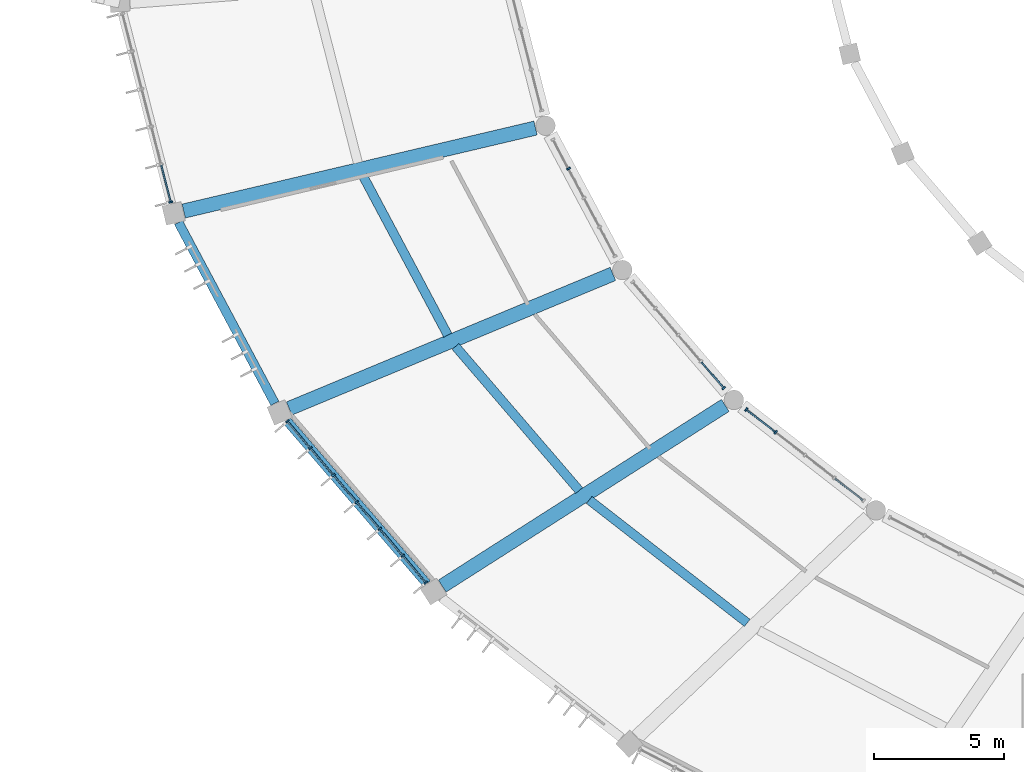
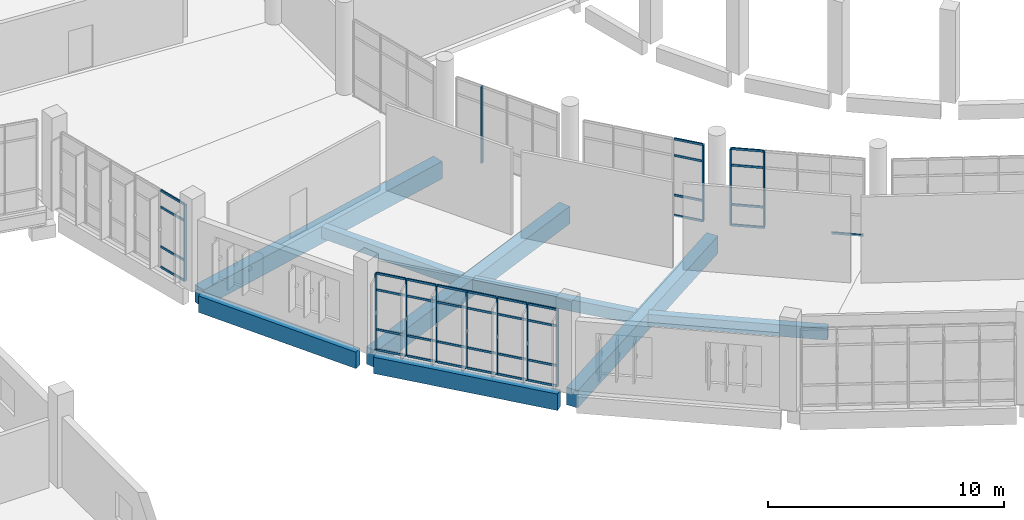
# One storey, part 10 of 179: 49 members, 8 beams, 5 elements without a shape of their own.
"""IFC4 building model written with IfcOpenShell, lengths in metres."""

import ifcopenshell
import ifcopenshell.guid

model = None  # the IFC model being written
_history = None  # IfcOwnerHistory: only IFC2X3 demands one
_inside = {}  # id of a spatial element -> (the spatial element, [elements in it])
_under = {}  # id of a project, library or spatial element -> (it, [spatial elements below it])
_declared = {}  # id of a project -> (the project, [libraries it declares])
_typed = {}  # id of a type object -> (the type object, [elements of that type])
_made_of = {}  # id of a material, layer set ... -> (it, [elements and type objects made of it])


def new_model(schema):
    """Start an empty IFC model of exactly this schema.

    Asked for "IFC4X3", IfcOpenShell would pick the latest addendum, in which some entities
    have other attributes; the version numbers below select the first issue.
    IFC2X3 requires an IfcOwnerHistory on every rooted entity: one is made here for all.
    """
    global model, _history
    if schema == "IFC4X3":
        model = ifcopenshell.file(schema_version=(4, 3, 0, 0))
    else:
        model = ifcopenshell.file(schema=schema)
    _inside.clear()
    _under.clear()
    _declared.clear()
    _typed.clear()
    _made_of.clear()
    _history = None
    if model.schema == "IFC2X3":
        org = make("IfcOrganization", Name="unknown")
        user = make(
            "IfcPersonAndOrganization",
            ThePerson=make("IfcPerson", FamilyName="unknown"),
            TheOrganization=org,
        )
        app = make(
            "IfcApplication",
            ApplicationDeveloper=org,
            Version="unknown",
            ApplicationFullName="unknown",
            ApplicationIdentifier="unknown",
        )
        _history = make(
            "IfcOwnerHistory",
            OwningUser=user,
            OwningApplication=app,
            ChangeAction="ADDED",
            CreationDate=0,
        )
    return model


def make(cls, **values):
    """One entity of the class cls with the attributes given. An attribute that is None is left unset."""
    return model.create_entity(
        cls, **{name: value for name, value in values.items() if value is not None}
    )


def rooted(cls, **values):
    """An entity with a GlobalId (a new one), such as an element, a storey or a relation."""
    return make(cls, GlobalId=ifcopenshell.guid.new(), OwnerHistory=_history, **values)


def si_unit(unit_type, name, prefix=None):
    """IfcSIUnit, for example si_unit("LENGTHUNIT", "METRE", prefix="MILLI")."""
    return make("IfcSIUnit", UnitType=unit_type, Prefix=prefix, Name=name)


def assignment(units):
    """IfcUnitAssignment: the units of a project."""
    return None if units is None else make("IfcUnitAssignment", Units=units)


def point(xyz):
    """IfcCartesianPoint."""
    return None if xyz is None else make("IfcCartesianPoint", Coordinates=xyz)


def direction(xyz):
    """IfcDirection."""
    return None if xyz is None else make("IfcDirection", DirectionRatios=xyz)


def frame(location, z_axis=None, x_axis=None):
    """IfcAxis2Placement3D, a coordinate frame: its origin and axes. An axis left out is left unset."""
    return make(
        "IfcAxis2Placement3D",
        Location=point(location),
        Axis=direction(z_axis),
        RefDirection=direction(x_axis),
    )


def frame_2d(location, x_axis=None):
    """IfcAxis2Placement2D, a coordinate frame in the plane: its origin and x axis."""
    return make(
        "IfcAxis2Placement2D", Location=point(location), RefDirection=direction(x_axis)
    )


def origin():
    """The frame at (0, 0, 0) with its axes left unset."""
    return frame((0.0, 0.0, 0.0))


def origin_2d():
    """The frame at (0, 0) in the plane with its x axis left unset."""
    return frame_2d((0.0, 0.0))


def place(relative_to, where):
    """IfcLocalPlacement: puts the frame where relative to a parent placement (None: the world)."""
    return make(
        "IfcLocalPlacement", PlacementRelTo=relative_to, RelativePlacement=where
    )


def context(
    kind, dimensions, precision=None, world=None, true_north=None, identifier=None
):
    """IfcGeometricRepresentationContext, for example the 3D "Model" context."""
    return make(
        "IfcGeometricRepresentationContext",
        ContextIdentifier=identifier,
        ContextType=kind,
        CoordinateSpaceDimension=dimensions,
        Precision=precision,
        WorldCoordinateSystem=world,
        TrueNorth=true_north,
    )


def subcontext(parent, identifier, kind, view, scale=None):
    """IfcGeometricRepresentationSubContext, for example "Body" below "Model"."""
    return make(
        "IfcGeometricRepresentationSubContext",
        ContextIdentifier=identifier,
        ContextType=kind,
        ParentContext=parent,
        TargetScale=scale,
        TargetView=view,
    )


def project(units=None, contexts=None):
    """IfcProject with its units and contexts."""
    return rooted(
        "IfcProject",
        Name="project",
        RepresentationContexts=contexts,
        UnitsInContext=assignment(units),
    )


def spatial(cls, under=None, at=None, **own):
    """A site, building, storey or space (cls), placed at a placement, below another one or the project."""
    s = rooted(cls, ObjectPlacement=at, **own)
    if under is not None:
        _under.setdefault(under.id(), (under, []))[1].append(s)
    return s


def profile(cls, at=None, kind="AREA", **sizes):
    """A parametric profile (cls). Its sizes go by their IFC names, for example OverallWidth=200.0."""
    return make(cls, ProfileType=kind, Position=at, **sizes)


def rectangle(**sizes):
    """IfcRectangleProfileDef."""
    return profile("IfcRectangleProfileDef", **sizes)


def extrude(swept, where, along, depth):
    """IfcExtrudedAreaSolid: the profile swept, set in the frame where, extruded along a direction by depth."""
    return make(
        "IfcExtrudedAreaSolid",
        SweptArea=swept,
        Position=where,
        ExtrudedDirection=direction(along),
        Depth=depth,
    )


def shape(context_of_items, identifier, shape_type, items):
    """IfcShapeRepresentation: the items that make up one representation, for example the "Body"."""
    return make(
        "IfcShapeRepresentation",
        ContextOfItems=context_of_items,
        RepresentationIdentifier=identifier,
        RepresentationType=shape_type,
        Items=items,
    )


def material(Name=None, Category=None):
    """IfcMaterial."""
    return make("IfcMaterial", Name=Name, Category=Category)


def layer(
    of_material, thickness, ventilated=None, Name=None, Category=None, Priority=None
):
    """IfcMaterialLayer: one layer of a wall or slab, of a material (None: an air gap)."""
    return make(
        "IfcMaterialLayer",
        Material=of_material,
        LayerThickness=thickness,
        IsVentilated=ventilated,
        Name=Name,
        Category=Category,
        Priority=Priority,
    )


def layer_set(layers, Name=None):
    """IfcMaterialLayerSet."""
    return make("IfcMaterialLayerSet", MaterialLayers=layers, LayerSetName=Name)


def material_profile(
    of_material, cross_section, Name=None, Category=None, Priority=None
):
    """IfcMaterialProfile: a cross section and its material."""
    return make(
        "IfcMaterialProfile",
        Name=Name,
        Material=of_material,
        Profile=cross_section,
        Priority=Priority,
        Category=Category,
    )


def profile_set(profiles, Name=None, composite=None):
    """IfcMaterialProfileSet."""
    return make(
        "IfcMaterialProfileSet",
        Name=Name,
        MaterialProfiles=profiles,
        CompositeProfile=composite,
    )


def made_of(thing, what):
    """Note that an element or type object is made of a material, layer set ...; save() writes the relation."""
    if what is not None:
        _made_of.setdefault(what.id(), (what, []))[1].append(thing)
    return thing


def type_object(cls, material=None, **own):
    """A type object (cls), such as IfcWallType, which elements share."""
    return made_of(rooted(cls, **own), material)


def element(
    cls,
    number,
    at=None,
    inside=None,
    cuts=None,
    type_object=None,
    material=None,
    context=None,
    identifier="Body",
    shape_type=None,
    held_by="IfcProductDefinitionShape",
    body=None,
    shapes=None,
    **own,
):
    """One element of the class cls, such as IfcWall. Its Tag is "e" and its number.

    at: its placement. inside: the storey or other place that contains it. cuts: it is an
    opening in that element (IfcRelVoidsElement). A single representation is given by context,
    identifier, shape_type and body (its items); several are given by shapes. held_by: the class
    of the entity that holds the representations. save() writes the other relations.
    """
    e = rooted(cls, Tag="e%d" % number, ObjectPlacement=at, **own)
    if body is not None:
        shapes = [shape(context, identifier, shape_type, body)]
    if shapes is not None:
        e.Representation = make(held_by, Representations=shapes)
    if inside is not None:
        _inside.setdefault(inside.id(), (inside, []))[1].append(e)
    if cuts is not None:
        rooted(
            "IfcRelVoidsElement", RelatingBuildingElement=cuts, RelatedOpeningElement=e
        )
    if type_object is not None:
        _typed.setdefault(type_object.id(), (type_object, []))[1].append(e)
    return made_of(e, material)


def aggregate(whole, parts):
    """IfcRelAggregates: a whole, such as a stair, and the parts it consists of."""
    return rooted("IfcRelAggregates", RelatingObject=whole, RelatedObjects=parts)


def save(model, path):
    """Write the relations noted so far, then the file.

    IfcRelAggregates (storeys below a building ...), IfcRelContainedInSpatialStructure (elements
    in a storey), IfcRelDefinesByType, IfcRelAssociatesMaterial and IfcRelDeclares: one each for
    every whole, place, type object, material and project.
    """
    for whole, parts in _under.values():
        aggregate(whole, parts)
    for where, things in _inside.values():
        rooted(
            "IfcRelContainedInSpatialStructure",
            RelatedElements=things,
            RelatingStructure=where,
        )
    for kind, things in _typed.values():
        rooted("IfcRelDefinesByType", RelatedObjects=things, RelatingType=kind)
    for what, things in _made_of.values():
        rooted("IfcRelAssociatesMaterial", RelatedObjects=things, RelatingMaterial=what)
    for by, libraries in _declared.values():
        rooted("IfcRelDeclares", RelatingContext=by, RelatedDefinitions=libraries)
    model.write(path)


model = new_model("IFC4")

# Units and contexts
model_context = context("Model", 3, precision=1e-05, world=origin(), true_north=direction((0.0, 1.0)))
body_context = subcontext(model_context, "Body", "Model", "MODEL_VIEW")
ifc_project = project(units=[si_unit("LENGTHUNIT", "METRE"), si_unit("AREAUNIT", "SQUARE_METRE"), si_unit("VOLUMEUNIT", "CUBIC_METRE"), si_unit("PLANEANGLEUNIT", "RADIAN"), si_unit("MASSUNIT", "GRAM", prefix="KILO")], contexts=[model_context])

# Site, building, storey
site_placement = place(None, origin())
site = spatial("IfcSite", under=ifc_project, at=site_placement, CompositionType="ELEMENT")
building_placement = place(site_placement, origin())
building = spatial("IfcBuilding", under=site, at=building_placement, Name="Corvandel Quay Wholesale Market", CompositionType="ELEMENT")
storey_placement = place(building_placement, frame((0.0, 0.0, 6.0)))
storey = spatial("IfcBuildingStorey", under=building, at=storey_placement, Name="L01", CompositionType="ELEMENT", Elevation=6.0)

# Curtain wall, member
ifc_material_1 = material(Name="Bronze anodised aluminium and low-E insulated glazing", Category="aluminium")
ifc_layer_1 = layer(ifc_material_1, 0.162109375)
ifc_layer_set_1 = layer_set([ifc_layer_1], Name="Bronze anodised aluminium and low-E insulated glazing")
curtain_wall_type_1 = type_object("IfcCurtainWallType", Name="Stick Curtain Wall System CW21 H4890", PredefinedType="NOTDEFINED", material=ifc_layer_set_1)
curtain_wall_1_placement = place(storey_placement, origin())
curtain_wall_1 = element("IfcCurtainWall", 1, at=curtain_wall_1_placement, inside=storey, type_object=curtain_wall_type_1, Name="Curtain Wall CW-0048", PredefinedType="NOTDEFINED")
ifc_material_2 = material(Name="Anodised aluminium 6063-T6", Category="aluminium")
ifc_material_profile_1 = material_profile(ifc_material_2, rectangle(XDim=0.06494140625, YDim=0.14990234375, at=origin_2d()), Name="ALU-MUL-65x150")
ifc_profile_set_1 = profile_set([ifc_material_profile_1], Name="Anodised aluminium 6063-T6")
member_type_1 = type_object("IfcMemberType", Name="Curtain Wall Mullion ML02 65x150", PredefinedType="MULLION", material=ifc_profile_set_1)
member_1_placement = place(storey_placement, frame((61.96337890625, 30.18505859375, 0.0), z_axis=(0.0, 0.0, 1.0), x_axis=(-0.247675453076, 0.968843057437, 0.0)))
member_1 = element("IfcMember", 2, at=member_1_placement, type_object=member_type_1, Name="Mullion CW-0048-M05", PredefinedType="MULLION", context=body_context, shape_type="SweptSolid", body=[
    extrude(rectangle(XDim=0.06494140625, YDim=0.14990234375, at=origin_2d()), origin(), (0.0, 0.0, 1.0), 3.949951171875),
])

ifc_layer_2 = layer(ifc_material_1, 0.18603515625)
ifc_layer_set_2 = layer_set([ifc_layer_2], Name="Bronze anodised aluminium and low-E insulated glazing")
curtain_wall_type_2 = type_object("IfcCurtainWallType", Name="Stick Curtain Wall System CW08 H3720", PredefinedType="NOTDEFINED", material=ifc_layer_set_2)
curtain_wall_2_placement = place(storey_placement, origin())
curtain_wall_2 = element("IfcCurtainWall", 3, at=curtain_wall_2_placement, inside=storey, type_object=curtain_wall_type_2, Name="Curtain Wall CW-0051", PredefinedType="NOTDEFINED")
member_2_placement = place(storey_placement, frame((77.23388671875, 31.468017578125, 0.0), z_axis=(0.0, 0.0, 1.0), x_axis=(-0.470087862033, 0.882619624736, 0.0)))
member_2 = element("IfcMember", 4, at=member_2_placement, type_object=member_type_1, Name="Mullion CW-0051-M01", PredefinedType="MULLION", context=body_context, shape_type="SweptSolid", body=[
    extrude(rectangle(XDim=0.06494140625, YDim=0.14990234375, at=origin_2d()), origin(), (0.0, 0.0, 1.0), 3.949951171875),
])
aggregate(curtain_wall_2, [member_2])

# Curtain wall, members
ifc_layer_3 = layer(ifc_material_1, 0.18603515625)
ifc_layer_set_3 = layer_set([ifc_layer_3], Name="Bronze anodised aluminium and low-E insulated glazing")
curtain_wall_type_3 = type_object("IfcCurtainWallType", Name="Stick Curtain Wall System CW23 H5070", PredefinedType="NOTDEFINED", material=ifc_layer_set_3)
curtain_wall_3_placement = place(storey_placement, origin())
curtain_wall_3 = element("IfcCurtainWall", 5, at=curtain_wall_3_placement, inside=storey, type_object=curtain_wall_type_3, Name="Curtain Wall CW-0053", PredefinedType="NOTDEFINED")
member_3_placement = place(storey_placement, frame((66.439208984375, 21.7646484375, 0.0), z_axis=(0.0, 0.0, 1.0), x_axis=(-0.651568967347, 0.758589401976, 0.0)))
member_3 = element("IfcMember", 6, at=member_3_placement, type_object=member_type_1, Name="Mullion CW-0053-M00", PredefinedType="MULLION", context=body_context, shape_type="SweptSolid", body=[
    extrude(rectangle(XDim=0.06494140625, YDim=0.14990234375, at=origin_2d()), origin(), (0.0, 0.0, 1.0), 3.949951171875),
])
member_4_placement = place(storey_placement, frame((67.326416015625, 20.73193359375, 0.0), z_axis=(0.0, 0.0, 1.0), x_axis=(-0.651568967347, 0.758589401976, 0.0)))
member_4 = element("IfcMember", 7, at=member_4_placement, type_object=member_type_1, Name="Mullion CW-0053-M01", PredefinedType="MULLION", context=body_context, shape_type="SweptSolid", body=[
    extrude(rectangle(XDim=0.06494140625, YDim=0.14990234375, at=origin_2d()), origin(), (0.0, 0.0, 1.0), 3.949951171875),
])
member_5_placement = place(storey_placement, frame((68.21337890625, 19.69921875, 0.0), z_axis=(0.0, 0.0, 1.0), x_axis=(-0.651568967347, 0.758589401976, 0.0)))
member_5 = element("IfcMember", 8, at=member_5_placement, type_object=member_type_1, Name="Mullion CW-0053-M02", PredefinedType="MULLION", context=body_context, shape_type="SweptSolid", body=[
    extrude(rectangle(XDim=0.06494140625, YDim=0.14990234375, at=origin_2d()), origin(), (0.0, 0.0, 1.0), 3.949951171875),
])
member_6_placement = place(storey_placement, frame((69.1005859375, 18.66650390625, 0.0), z_axis=(0.0, 0.0, 1.0), x_axis=(-0.651568967347, 0.758589401976, 0.0)))
member_6 = element("IfcMember", 9, at=member_6_placement, type_object=member_type_1, Name="Mullion CW-0053-M03", PredefinedType="MULLION", context=body_context, shape_type="SweptSolid", body=[
    extrude(rectangle(XDim=0.06494140625, YDim=0.14990234375, at=origin_2d()), origin(), (0.0, 0.0, 1.0), 3.949951171875),
])
member_7_placement = place(storey_placement, frame((69.987548828125, 17.6337890625, 0.0), z_axis=(0.0, 0.0, 1.0), x_axis=(-0.651568967347, 0.758589401976, 0.0)))
member_7 = element("IfcMember", 10, at=member_7_placement, type_object=member_type_1, Name="Mullion CW-0053-M04", PredefinedType="MULLION", context=body_context, shape_type="SweptSolid", body=[
    extrude(rectangle(XDim=0.06494140625, YDim=0.14990234375, at=origin_2d()), origin(), (0.0, 0.0, 1.0), 3.949951171875),
])
member_8_placement = place(storey_placement, frame((70.874755859375, 16.60107421875, 0.0), z_axis=(0.0, 0.0, 1.0), x_axis=(-0.651568967347, 0.758589401976, 0.0)))
member_8 = element("IfcMember", 11, at=member_8_placement, type_object=member_type_1, Name="Mullion CW-0053-M05", PredefinedType="MULLION", context=body_context, shape_type="SweptSolid", body=[
    extrude(rectangle(XDim=0.06494140625, YDim=0.14990234375, at=origin_2d()), origin(), (0.0, 0.0, 1.0), 3.949951171875),
])
member_9_placement = place(storey_placement, frame((71.76171875, 15.568359375, 0.0), z_axis=(0.0, 0.0, 1.0), x_axis=(-0.651568967347, 0.758589401976, 0.0)))
member_9 = element("IfcMember", 12, at=member_9_placement, type_object=member_type_1, Name="Mullion CW-0053-M06", PredefinedType="MULLION", context=body_context, shape_type="SweptSolid", body=[
    extrude(rectangle(XDim=0.06494140625, YDim=0.14990234375, at=origin_2d()), origin(), (0.0, 0.0, 1.0), 3.949951171875),
])

# Curtain wall, member
ifc_layer_4 = layer(ifc_material_1, 0.197998046875)
ifc_layer_set_4 = layer_set([ifc_layer_4], Name="Bronze anodised aluminium and low-E insulated glazing")
curtain_wall_type_4 = type_object("IfcCurtainWallType", Name="Stick Curtain Wall System CW09 H3810", PredefinedType="NOTDEFINED", material=ifc_layer_set_4)
curtain_wall_4_placement = place(storey_placement, origin())
curtain_wall_4 = element("IfcCurtainWall", 13, at=curtain_wall_4_placement, inside=storey, type_object=curtain_wall_type_4, Name="Curtain Wall CW-0055", PredefinedType="NOTDEFINED")
member_10_placement = place(storey_placement, frame((83.19921875, 23.044189453125, 0.0), z_axis=(0.0, 0.0, 1.0), x_axis=(-0.651568967347, 0.758589401976, 0.0)))
member_10 = element("IfcMember", 14, at=member_10_placement, type_object=member_type_1, Name="Mullion CW-0055-M04", PredefinedType="MULLION", context=body_context, shape_type="SweptSolid", body=[
    extrude(rectangle(XDim=0.06494140625, YDim=0.14990234375, at=origin_2d()), origin(), (0.0, 0.0, 1.0), 3.949951171875),
])

# Curtain wall, members
ifc_layer_5 = layer(ifc_material_1, 0.14990234375)
ifc_layer_set_5 = layer_set([ifc_layer_5], Name="Bronze anodised aluminium and low-E insulated glazing")
curtain_wall_type_5 = type_object("IfcCurtainWallType", Name="Stick Curtain Wall System CW10 H3900", PredefinedType="NOTDEFINED", material=ifc_layer_set_5)
curtain_wall_5_placement = place(storey_placement, origin())
curtain_wall_5 = element("IfcCurtainWall", 15, at=curtain_wall_5_placement, inside=storey, type_object=curtain_wall_type_5, Name="Curtain Wall CW-0058", PredefinedType="NOTDEFINED")
member_11_placement = place(storey_placement, frame((84.063720703125, 22.220703125, 0.0), z_axis=(0.0, 0.0, 1.0), x_axis=(-0.789405615633, 0.613871952452, 0.0)))
member_11 = element("IfcMember", 16, at=member_11_placement, type_object=member_type_1, Name="Mullion CW-0058-M00", PredefinedType="MULLION", context=body_context, shape_type="SweptSolid", body=[
    extrude(rectangle(XDim=0.06494140625, YDim=0.14990234375, at=origin_2d()), origin(), (0.0, 0.0, 1.0), 3.949951171875),
])
member_12_placement = place(storey_placement, frame((85.18994140625, 21.344482421875, 0.0), z_axis=(0.0, 0.0, 1.0), x_axis=(-0.789405615633, 0.613871952452, 0.0)))
member_12 = element("IfcMember", 17, at=member_12_placement, type_object=member_type_1, Name="Mullion CW-0058-M01", PredefinedType="MULLION", context=body_context, shape_type="SweptSolid", body=[
    extrude(rectangle(XDim=0.06494140625, YDim=0.14990234375, at=origin_2d()), origin(), (0.0, 0.0, 1.0), 3.949951171875),
])

# Member
ifc_material_profile_2 = material_profile(ifc_material_2, rectangle(XDim=0.06005859375, YDim=0.110107421875, at=origin_2d()), Name="ALU-TRN-60x110")
ifc_profile_set_2 = profile_set([ifc_material_profile_2], Name="Anodised aluminium 6063-T6")
member_type_2 = type_object("IfcMemberType", Name="Curtain Wall Transom TR02 60x110", PredefinedType="USERDEFINED", material=ifc_profile_set_2)
member_13_placement = place(storey_placement, frame((61.601318359375, 31.601806640625, 0.0), z_axis=(0.247594705579, -0.968863696177, 0.0), x_axis=(0.968863696177, 0.247594705579, 0.0)))
member_13 = element("IfcMember", 18, at=member_13_placement, type_object=member_type_2, Name="Transom CW-0048-T04-0", ObjectType="TRANSOM", PredefinedType="USERDEFINED", context=body_context, shape_type="SweptSolid", body=[
    extrude(rectangle(XDim=0.06005859375, YDim=0.110107421875, at=origin_2d()), origin(), (0.0, 0.0, 1.0), 1.4296875),
])

member_14_placement = place(storey_placement, frame((61.601318359375, 31.601806640625, 1.050048828125), z_axis=(0.247594705579, -0.968863696177, 0.0), x_axis=(0.968863696177, 0.247594705579, 0.0)))
member_14 = element("IfcMember", 19, at=member_14_placement, type_object=member_type_2, Name="Transom CW-0048-T04-1", ObjectType="TRANSOM", PredefinedType="USERDEFINED", context=body_context, shape_type="SweptSolid", body=[
    extrude(rectangle(XDim=0.06005859375, YDim=0.110107421875, at=origin_2d()), origin(), (0.0, 0.0, 1.0), 1.4296875),
])

member_15_placement = place(storey_placement, frame((61.601318359375, 31.601806640625, 3.10009765625), z_axis=(0.247594705579, -0.968863696177, 0.0), x_axis=(0.968863696177, 0.247594705579, 0.0)))
member_15 = element("IfcMember", 20, at=member_15_placement, type_object=member_type_2, Name="Transom CW-0048-T04-2", ObjectType="TRANSOM", PredefinedType="USERDEFINED", context=body_context, shape_type="SweptSolid", body=[
    extrude(rectangle(XDim=0.06005859375, YDim=0.110107421875, at=origin_2d()), origin(), (0.0, 0.0, 1.0), 1.4296875),
])

member_16_placement = place(storey_placement, frame((61.601318359375, 31.601806640625, 3.949951171875), z_axis=(0.247594705579, -0.968863696177, 0.0), x_axis=(0.968863696177, 0.247594705579, 0.0)))
member_16 = element("IfcMember", 21, at=member_16_placement, type_object=member_type_2, Name="Transom CW-0048-T04-3", ObjectType="TRANSOM", PredefinedType="USERDEFINED", context=body_context, shape_type="SweptSolid", body=[
    extrude(rectangle(XDim=0.06005859375, YDim=0.110107421875, at=origin_2d()), origin(), (0.0, 0.0, 1.0), 1.4296875),
])

aggregate(curtain_wall_1, [member_1, member_13, member_14, member_15, member_16])

member_17_placement = place(storey_placement, frame((66.46044921875, 21.739990234375, 0.0), z_axis=(0.651597471756, -0.758564917987, 0.0), x_axis=(0.758564917987, 0.651597471756, 0.0)))
member_17 = element("IfcMember", 22, at=member_17_placement, type_object=member_type_2, Name="Transom CW-0053-T00-0", ObjectType="TRANSOM", PredefinedType="USERDEFINED", context=body_context, shape_type="SweptSolid", body=[
    extrude(rectangle(XDim=0.06005859375, YDim=0.110107421875, at=origin_2d()), origin(), (0.0, 0.0, 1.0), 1.29638671875),
])

member_18_placement = place(storey_placement, frame((66.46044921875, 21.739990234375, 1.050048828125), z_axis=(0.651597471756, -0.758564917987, 0.0), x_axis=(0.758564917987, 0.651597471756, 0.0)))
member_18 = element("IfcMember", 23, at=member_18_placement, type_object=member_type_2, Name="Transom CW-0053-T00-1", ObjectType="TRANSOM", PredefinedType="USERDEFINED", context=body_context, shape_type="SweptSolid", body=[
    extrude(rectangle(XDim=0.06005859375, YDim=0.110107421875, at=origin_2d()), origin(), (0.0, 0.0, 1.0), 1.29638671875),
])

member_19_placement = place(storey_placement, frame((66.46044921875, 21.739990234375, 3.10009765625), z_axis=(0.651597471756, -0.758564917987, 0.0), x_axis=(0.758564917987, 0.651597471756, 0.0)))
member_19 = element("IfcMember", 24, at=member_19_placement, type_object=member_type_2, Name="Transom CW-0053-T00-2", ObjectType="TRANSOM", PredefinedType="USERDEFINED", context=body_context, shape_type="SweptSolid", body=[
    extrude(rectangle(XDim=0.06005859375, YDim=0.110107421875, at=origin_2d()), origin(), (0.0, 0.0, 1.0), 1.29638671875),
])

member_20_placement = place(storey_placement, frame((66.46044921875, 21.739990234375, 3.949951171875), z_axis=(0.651597471756, -0.758564917987, 0.0), x_axis=(0.758564917987, 0.651597471756, 0.0)))
member_20 = element("IfcMember", 25, at=member_20_placement, type_object=member_type_2, Name="Transom CW-0053-T00-3", ObjectType="TRANSOM", PredefinedType="USERDEFINED", context=body_context, shape_type="SweptSolid", body=[
    extrude(rectangle(XDim=0.06005859375, YDim=0.110107421875, at=origin_2d()), origin(), (0.0, 0.0, 1.0), 1.29638671875),
])

member_21_placement = place(storey_placement, frame((67.347412109375, 20.707275390625, 0.0), z_axis=(0.651597471756, -0.758564917987, 0.0), x_axis=(0.758564917987, 0.651597471756, 0.0)))
member_21 = element("IfcMember", 26, at=member_21_placement, type_object=member_type_2, Name="Transom CW-0053-T01-0", ObjectType="TRANSOM", PredefinedType="USERDEFINED", context=body_context, shape_type="SweptSolid", body=[
    extrude(rectangle(XDim=0.06005859375, YDim=0.110107421875, at=origin_2d()), origin(), (0.0, 0.0, 1.0), 1.29638671875),
])

member_22_placement = place(storey_placement, frame((67.347412109375, 20.707275390625, 1.050048828125), z_axis=(0.651597471756, -0.758564917987, 0.0), x_axis=(0.758564917987, 0.651597471756, 0.0)))
member_22 = element("IfcMember", 27, at=member_22_placement, type_object=member_type_2, Name="Transom CW-0053-T01-1", ObjectType="TRANSOM", PredefinedType="USERDEFINED", context=body_context, shape_type="SweptSolid", body=[
    extrude(rectangle(XDim=0.06005859375, YDim=0.110107421875, at=origin_2d()), origin(), (0.0, 0.0, 1.0), 1.29638671875),
])

member_23_placement = place(storey_placement, frame((67.347412109375, 20.707275390625, 3.10009765625), z_axis=(0.651597471756, -0.758564917987, 0.0), x_axis=(0.758564917987, 0.651597471756, 0.0)))
member_23 = element("IfcMember", 28, at=member_23_placement, type_object=member_type_2, Name="Transom CW-0053-T01-2", ObjectType="TRANSOM", PredefinedType="USERDEFINED", context=body_context, shape_type="SweptSolid", body=[
    extrude(rectangle(XDim=0.06005859375, YDim=0.110107421875, at=origin_2d()), origin(), (0.0, 0.0, 1.0), 1.29638671875),
])

member_24_placement = place(storey_placement, frame((67.347412109375, 20.707275390625, 3.949951171875), z_axis=(0.651597471756, -0.758564917987, 0.0), x_axis=(0.758564917987, 0.651597471756, 0.0)))
member_24 = element("IfcMember", 29, at=member_24_placement, type_object=member_type_2, Name="Transom CW-0053-T01-3", ObjectType="TRANSOM", PredefinedType="USERDEFINED", context=body_context, shape_type="SweptSolid", body=[
    extrude(rectangle(XDim=0.06005859375, YDim=0.110107421875, at=origin_2d()), origin(), (0.0, 0.0, 1.0), 1.29638671875),
])

member_25_placement = place(storey_placement, frame((68.234619140625, 19.674560546875, 0.0), z_axis=(0.651597471756, -0.758564917987, 0.0), x_axis=(0.758564917987, 0.651597471756, 0.0)))
member_25 = element("IfcMember", 30, at=member_25_placement, type_object=member_type_2, Name="Transom CW-0053-T02-0", ObjectType="TRANSOM", PredefinedType="USERDEFINED", context=body_context, shape_type="SweptSolid", body=[
    extrude(rectangle(XDim=0.06005859375, YDim=0.110107421875, at=origin_2d()), origin(), (0.0, 0.0, 1.0), 1.29638671875),
])

member_26_placement = place(storey_placement, frame((68.234619140625, 19.674560546875, 1.050048828125), z_axis=(0.651597471756, -0.758564917987, 0.0), x_axis=(0.758564917987, 0.651597471756, 0.0)))
member_26 = element("IfcMember", 31, at=member_26_placement, type_object=member_type_2, Name="Transom CW-0053-T02-1", ObjectType="TRANSOM", PredefinedType="USERDEFINED", context=body_context, shape_type="SweptSolid", body=[
    extrude(rectangle(XDim=0.06005859375, YDim=0.110107421875, at=origin_2d()), origin(), (0.0, 0.0, 1.0), 1.29638671875),
])

member_27_placement = place(storey_placement, frame((68.234619140625, 19.674560546875, 3.10009765625), z_axis=(0.651597471756, -0.758564917987, 0.0), x_axis=(0.758564917987, 0.651597471756, 0.0)))
member_27 = element("IfcMember", 32, at=member_27_placement, type_object=member_type_2, Name="Transom CW-0053-T02-2", ObjectType="TRANSOM", PredefinedType="USERDEFINED", context=body_context, shape_type="SweptSolid", body=[
    extrude(rectangle(XDim=0.06005859375, YDim=0.110107421875, at=origin_2d()), origin(), (0.0, 0.0, 1.0), 1.29638671875),
])

member_28_placement = place(storey_placement, frame((68.234619140625, 19.674560546875, 3.949951171875), z_axis=(0.651597471756, -0.758564917987, 0.0), x_axis=(0.758564917987, 0.651597471756, 0.0)))
member_28 = element("IfcMember", 33, at=member_28_placement, type_object=member_type_2, Name="Transom CW-0053-T02-3", ObjectType="TRANSOM", PredefinedType="USERDEFINED", context=body_context, shape_type="SweptSolid", body=[
    extrude(rectangle(XDim=0.06005859375, YDim=0.110107421875, at=origin_2d()), origin(), (0.0, 0.0, 1.0), 1.29638671875),
])

member_29_placement = place(storey_placement, frame((69.12158203125, 18.641845703125, 0.0), z_axis=(0.651597471756, -0.758564917987, 0.0), x_axis=(0.758564917987, 0.651597471756, 0.0)))
member_29 = element("IfcMember", 34, at=member_29_placement, type_object=member_type_2, Name="Transom CW-0053-T03-0", ObjectType="TRANSOM", PredefinedType="USERDEFINED", context=body_context, shape_type="SweptSolid", body=[
    extrude(rectangle(XDim=0.06005859375, YDim=0.110107421875, at=origin_2d()), origin(), (0.0, 0.0, 1.0), 1.29638671875),
])

member_30_placement = place(storey_placement, frame((69.12158203125, 18.641845703125, 1.050048828125), z_axis=(0.651597471756, -0.758564917987, 0.0), x_axis=(0.758564917987, 0.651597471756, 0.0)))
member_30 = element("IfcMember", 35, at=member_30_placement, type_object=member_type_2, Name="Transom CW-0053-T03-1", ObjectType="TRANSOM", PredefinedType="USERDEFINED", context=body_context, shape_type="SweptSolid", body=[
    extrude(rectangle(XDim=0.06005859375, YDim=0.110107421875, at=origin_2d()), origin(), (0.0, 0.0, 1.0), 1.29638671875),
])

member_31_placement = place(storey_placement, frame((69.12158203125, 18.641845703125, 3.10009765625), z_axis=(0.651597471756, -0.758564917987, 0.0), x_axis=(0.758564917987, 0.651597471756, 0.0)))
member_31 = element("IfcMember", 36, at=member_31_placement, type_object=member_type_2, Name="Transom CW-0053-T03-2", ObjectType="TRANSOM", PredefinedType="USERDEFINED", context=body_context, shape_type="SweptSolid", body=[
    extrude(rectangle(XDim=0.06005859375, YDim=0.110107421875, at=origin_2d()), origin(), (0.0, 0.0, 1.0), 1.29638671875),
])

member_32_placement = place(storey_placement, frame((69.12158203125, 18.641845703125, 3.949951171875), z_axis=(0.651597471756, -0.758564917987, 0.0), x_axis=(0.758564917987, 0.651597471756, 0.0)))
member_32 = element("IfcMember", 37, at=member_32_placement, type_object=member_type_2, Name="Transom CW-0053-T03-3", ObjectType="TRANSOM", PredefinedType="USERDEFINED", context=body_context, shape_type="SweptSolid", body=[
    extrude(rectangle(XDim=0.06005859375, YDim=0.110107421875, at=origin_2d()), origin(), (0.0, 0.0, 1.0), 1.29638671875),
])

member_33_placement = place(storey_placement, frame((70.0087890625, 17.609130859375, 0.0), z_axis=(0.651597471756, -0.758564917987, 0.0), x_axis=(0.758564917987, 0.651597471756, 0.0)))
member_33 = element("IfcMember", 38, at=member_33_placement, type_object=member_type_2, Name="Transom CW-0053-T04-0", ObjectType="TRANSOM", PredefinedType="USERDEFINED", context=body_context, shape_type="SweptSolid", body=[
    extrude(rectangle(XDim=0.06005859375, YDim=0.110107421875, at=origin_2d()), origin(), (0.0, 0.0, 1.0), 1.29638671875),
])

member_34_placement = place(storey_placement, frame((70.0087890625, 17.609130859375, 1.050048828125), z_axis=(0.651597471756, -0.758564917987, 0.0), x_axis=(0.758564917987, 0.651597471756, 0.0)))
member_34 = element("IfcMember", 39, at=member_34_placement, type_object=member_type_2, Name="Transom CW-0053-T04-1", ObjectType="TRANSOM", PredefinedType="USERDEFINED", context=body_context, shape_type="SweptSolid", body=[
    extrude(rectangle(XDim=0.06005859375, YDim=0.110107421875, at=origin_2d()), origin(), (0.0, 0.0, 1.0), 1.29638671875),
])

member_35_placement = place(storey_placement, frame((70.0087890625, 17.609130859375, 3.10009765625), z_axis=(0.651597471756, -0.758564917987, 0.0), x_axis=(0.758564917987, 0.651597471756, 0.0)))
member_35 = element("IfcMember", 40, at=member_35_placement, type_object=member_type_2, Name="Transom CW-0053-T04-2", ObjectType="TRANSOM", PredefinedType="USERDEFINED", context=body_context, shape_type="SweptSolid", body=[
    extrude(rectangle(XDim=0.06005859375, YDim=0.110107421875, at=origin_2d()), origin(), (0.0, 0.0, 1.0), 1.29638671875),
])

member_36_placement = place(storey_placement, frame((70.0087890625, 17.609130859375, 3.949951171875), z_axis=(0.651597471756, -0.758564917987, 0.0), x_axis=(0.758564917987, 0.651597471756, 0.0)))
member_36 = element("IfcMember", 41, at=member_36_placement, type_object=member_type_2, Name="Transom CW-0053-T04-3", ObjectType="TRANSOM", PredefinedType="USERDEFINED", context=body_context, shape_type="SweptSolid", body=[
    extrude(rectangle(XDim=0.06005859375, YDim=0.110107421875, at=origin_2d()), origin(), (0.0, 0.0, 1.0), 1.29638671875),
])

member_37_placement = place(storey_placement, frame((70.89599609375, 16.576416015625, 0.0), z_axis=(0.651489086867, -0.758658005753, 0.0), x_axis=(0.758658005753, 0.651489086867, 0.0)))
member_37 = element("IfcMember", 42, at=member_37_placement, type_object=member_type_2, Name="Transom CW-0053-T05-0", ObjectType="TRANSOM", PredefinedType="USERDEFINED", context=body_context, shape_type="SweptSolid", body=[
    extrude(rectangle(XDim=0.06005859375, YDim=0.110107421875, at=origin_2d()), origin(), (0.0, 0.0, 1.0), 1.296142578125),
])

member_38_placement = place(storey_placement, frame((70.89599609375, 16.576416015625, 1.050048828125), z_axis=(0.651489086867, -0.758658005753, 0.0), x_axis=(0.758658005753, 0.651489086867, 0.0)))
member_38 = element("IfcMember", 43, at=member_38_placement, type_object=member_type_2, Name="Transom CW-0053-T05-1", ObjectType="TRANSOM", PredefinedType="USERDEFINED", context=body_context, shape_type="SweptSolid", body=[
    extrude(rectangle(XDim=0.06005859375, YDim=0.110107421875, at=origin_2d()), origin(), (0.0, 0.0, 1.0), 1.296142578125),
])

member_39_placement = place(storey_placement, frame((70.89599609375, 16.576416015625, 3.10009765625), z_axis=(0.651489086867, -0.758658005753, 0.0), x_axis=(0.758658005753, 0.651489086867, 0.0)))
member_39 = element("IfcMember", 44, at=member_39_placement, type_object=member_type_2, Name="Transom CW-0053-T05-2", ObjectType="TRANSOM", PredefinedType="USERDEFINED", context=body_context, shape_type="SweptSolid", body=[
    extrude(rectangle(XDim=0.06005859375, YDim=0.110107421875, at=origin_2d()), origin(), (0.0, 0.0, 1.0), 1.296142578125),
])

member_40_placement = place(storey_placement, frame((70.89599609375, 16.576416015625, 3.949951171875), z_axis=(0.651489086867, -0.758658005753, 0.0), x_axis=(0.758658005753, 0.651489086867, 0.0)))
member_40 = element("IfcMember", 45, at=member_40_placement, type_object=member_type_2, Name="Transom CW-0053-T05-3", ObjectType="TRANSOM", PredefinedType="USERDEFINED", context=body_context, shape_type="SweptSolid", body=[
    extrude(rectangle(XDim=0.06005859375, YDim=0.110107421875, at=origin_2d()), origin(), (0.0, 0.0, 1.0), 1.296142578125),
])

aggregate(curtain_wall_3, [member_3, member_4, member_5, member_6, member_7, member_8, member_9, member_17, member_18, member_19, member_20, member_21, member_22, member_23, member_24, member_25, member_26, member_27, member_28, member_29, member_30, member_31, member_32, member_33, member_34, member_35, member_36, member_37, member_38, member_39, member_40])

member_41_placement = place(storey_placement, frame((82.3447265625, 24.038818359375, 0.0), z_axis=(0.651624309471, -0.758541863911, 0.0), x_axis=(0.758541863911, 0.651624309471, 0.0)))
member_41 = element("IfcMember", 46, at=member_41_placement, type_object=member_type_2, Name="Transom CW-0055-T03-0", ObjectType="TRANSOM", PredefinedType="USERDEFINED", context=body_context, shape_type="SweptSolid", body=[
    extrude(rectangle(XDim=0.06005859375, YDim=0.110107421875, at=origin_2d()), origin(), (0.0, 0.0, 1.0), 1.27880859375),
])

member_42_placement = place(storey_placement, frame((82.3447265625, 24.038818359375, 1.050048828125), z_axis=(0.651624309471, -0.758541863911, 0.0), x_axis=(0.758541863911, 0.651624309471, 0.0)))
member_42 = element("IfcMember", 47, at=member_42_placement, type_object=member_type_2, Name="Transom CW-0055-T03-1", ObjectType="TRANSOM", PredefinedType="USERDEFINED", context=body_context, shape_type="SweptSolid", body=[
    extrude(rectangle(XDim=0.06005859375, YDim=0.110107421875, at=origin_2d()), origin(), (0.0, 0.0, 1.0), 1.27880859375),
])

member_43_placement = place(storey_placement, frame((82.3447265625, 24.038818359375, 3.10009765625), z_axis=(0.651624309471, -0.758541863911, 0.0), x_axis=(0.758541863911, 0.651624309471, 0.0)))
member_43 = element("IfcMember", 48, at=member_43_placement, type_object=member_type_2, Name="Transom CW-0055-T03-2", ObjectType="TRANSOM", PredefinedType="USERDEFINED", context=body_context, shape_type="SweptSolid", body=[
    extrude(rectangle(XDim=0.06005859375, YDim=0.110107421875, at=origin_2d()), origin(), (0.0, 0.0, 1.0), 1.27880859375),
])

member_44_placement = place(storey_placement, frame((82.3447265625, 24.038818359375, 3.949951171875), z_axis=(0.651624309471, -0.758541863911, 0.0), x_axis=(0.758541863911, 0.651624309471, 0.0)))
member_44 = element("IfcMember", 49, at=member_44_placement, type_object=member_type_2, Name="Transom CW-0055-T03-3", ObjectType="TRANSOM", PredefinedType="USERDEFINED", context=body_context, shape_type="SweptSolid", body=[
    extrude(rectangle(XDim=0.06005859375, YDim=0.110107421875, at=origin_2d()), origin(), (0.0, 0.0, 1.0), 1.27880859375),
])

aggregate(curtain_wall_4, [member_10, member_41, member_42, member_43, member_44])

member_45_placement = place(storey_placement, frame((84.08935546875, 22.20068359375, 0.0), z_axis=(0.789313604412, -0.613990255533, 0.0), x_axis=(0.613990255533, 0.789313604412, 0.0)))
member_45 = element("IfcMember", 50, at=member_45_placement, type_object=member_type_2, Name="Transom CW-0058-T00-0", ObjectType="TRANSOM", PredefinedType="USERDEFINED", context=body_context, shape_type="SweptSolid", body=[
    extrude(rectangle(XDim=0.06005859375, YDim=0.110107421875, at=origin_2d()), origin(), (0.0, 0.0, 1.0), 1.36181640625),
])

member_46_placement = place(storey_placement, frame((84.08935546875, 22.20068359375, 1.050048828125), z_axis=(0.789313604412, -0.613990255533, 0.0), x_axis=(0.613990255533, 0.789313604412, 0.0)))
member_46 = element("IfcMember", 51, at=member_46_placement, type_object=member_type_2, Name="Transom CW-0058-T00-1", ObjectType="TRANSOM", PredefinedType="USERDEFINED", context=body_context, shape_type="SweptSolid", body=[
    extrude(rectangle(XDim=0.06005859375, YDim=0.110107421875, at=origin_2d()), origin(), (0.0, 0.0, 1.0), 1.36181640625),
])

member_47_placement = place(storey_placement, frame((84.08935546875, 22.20068359375, 3.10009765625), z_axis=(0.789313604412, -0.613990255533, 0.0), x_axis=(0.613990255533, 0.789313604412, 0.0)))
member_47 = element("IfcMember", 52, at=member_47_placement, type_object=member_type_2, Name="Transom CW-0058-T00-2", ObjectType="TRANSOM", PredefinedType="USERDEFINED", context=body_context, shape_type="SweptSolid", body=[
    extrude(rectangle(XDim=0.06005859375, YDim=0.110107421875, at=origin_2d()), origin(), (0.0, 0.0, 1.0), 1.36181640625),
])

member_48_placement = place(storey_placement, frame((84.08935546875, 22.20068359375, 3.949951171875), z_axis=(0.789313604412, -0.613990255533, 0.0), x_axis=(0.613990255533, 0.789313604412, 0.0)))
member_48 = element("IfcMember", 53, at=member_48_placement, type_object=member_type_2, Name="Transom CW-0058-T00-3", ObjectType="TRANSOM", PredefinedType="USERDEFINED", context=body_context, shape_type="SweptSolid", body=[
    extrude(rectangle(XDim=0.06005859375, YDim=0.110107421875, at=origin_2d()), origin(), (0.0, 0.0, 1.0), 1.36181640625),
])

member_49_placement = place(storey_placement, frame((87.468505859375, 19.572509765625, 0.0), z_axis=(0.789381170954, -0.613903385676, 0.0), x_axis=(0.613903385676, 0.789381170954, 0.0)))
member_49 = element("IfcMember", 54, at=member_49_placement, type_object=member_type_2, Name="Transom CW-0058-T03-0", ObjectType="TRANSOM", PredefinedType="USERDEFINED", context=body_context, shape_type="SweptSolid", body=[
    extrude(rectangle(XDim=0.06005859375, YDim=0.110107421875, at=origin_2d()), origin(), (0.0, 0.0, 1.0), 1.362060546875),
])

aggregate(curtain_wall_5, [member_11, member_12, member_45, member_46, member_47, member_48, member_49])

# Beams
ifc_material_3 = material(Name="Precast concrete C45/55", Category="concrete")
ifc_material_profile_3 = material_profile(ifc_material_3, rectangle(XDim=0.35009765625, YDim=0.85009765625, at=origin_2d()), Name="PC-SPN-350x850")
ifc_profile_set_3 = profile_set([ifc_material_profile_3], Name="Precast concrete C45/55")
beam_type_1 = type_object("IfcBeamType", Name="Perimeter Precast Spandrel SP01 350x850", PredefinedType="SPANDREL", material=ifc_profile_set_3)
beam_1_placement = place(storey_placement, frame((62.2607421875, 29.400390625, -0.72509765625), z_axis=(0.470097048579, -0.882614731872, 0.0), x_axis=(0.882614731872, 0.470097048579, 0.0)))
element("IfcBeam", 55, at=beam_1_placement, inside=storey, type_object=beam_type_1, Name="Beam BM-0217", PredefinedType="SPANDREL", context=body_context, shape_type="SweptSolid", body=[
    extrude(rectangle(XDim=0.35009765625, YDim=0.85009765625, at=origin_2d()), origin(), (0.0, 0.0, 1.0), 7.86962890625),
])
beam_2_placement = place(storey_placement, frame((66.4033203125, 21.806396484375, -0.72509765625), z_axis=(0.651599746729, -0.758562963809, 0.0), x_axis=(0.758562963809, 0.651599746729, 0.0)))
element("IfcBeam", 56, at=beam_2_placement, inside=storey, type_object=beam_type_1, Name="Beam BM-0229", PredefinedType="SPANDREL", context=body_context, shape_type="SweptSolid", body=[
    extrude(rectangle(XDim=0.35009765625, YDim=0.85009765625, at=origin_2d()), origin(), (0.0, 0.0, 1.0), 8.278564453125),
])
ifc_material_profile_4 = material_profile(ifc_material_3, rectangle(XDim=0.550048828125, YDim=0.89990234375, at=origin_2d()), Name="PC-GIR-550x900")
ifc_profile_set_4 = profile_set([ifc_material_profile_4], Name="Precast concrete C45/55")
beam_type_2 = type_object("IfcBeamType", Name="Produce Hall Radial Girder G03 550x900", PredefinedType="USERDEFINED", material=ifc_profile_set_4)
beam_3_placement = place(storey_placement, frame((62.45947265625, 29.839599609375, -0.75), z_axis=(0.97327837295, 0.229628414506, 0.0), x_axis=(-0.229628414506, 0.97327837295, 0.0)))
element("IfcBeam", 57, at=beam_3_placement, inside=storey, type_object=beam_type_2, Name="Beam BM-0219", ObjectType="GIRDER", PredefinedType="USERDEFINED", context=body_context, shape_type="SweptSolid", body=[
    extrude(rectangle(XDim=0.550048828125, YDim=0.89990234375, at=origin_2d()), origin(), (0.0, 0.0, 1.0), 13.882080078125),
])
beam_4_placement = place(storey_placement, frame((66.5107421875, 22.257568359375, -0.75), z_axis=(0.923385679265, 0.383873530383, 0.0), x_axis=(-0.383873530383, 0.923385679265, 0.0)))
element("IfcBeam", 58, at=beam_4_placement, inside=storey, type_object=beam_type_2, Name="Beam BM-0231", ObjectType="GIRDER", PredefinedType="USERDEFINED", context=body_context, shape_type="SweptSolid", body=[
    extrude(rectangle(XDim=0.550048828125, YDim=0.89990234375, at=origin_2d()), origin(), (0.0, 0.0, 1.0), 13.462158203125),
])
beam_5_placement = place(storey_placement, frame((72.387939453125, 15.439453125, -0.75), z_axis=(0.842948152457, 0.537994806916, 0.0), x_axis=(-0.537994806916, 0.842948152457, 0.0)))
element("IfcBeam", 59, at=beam_5_placement, inside=storey, type_object=beam_type_2, Name="Beam BM-0243", ObjectType="GIRDER", PredefinedType="USERDEFINED", context=body_context, shape_type="SweptSolid", body=[
    extrude(rectangle(XDim=0.550048828125, YDim=0.89990234375, at=origin_2d()), origin(), (0.0, 0.0, 1.0), 12.894287109375),
])
ifc_material_profile_5 = material_profile(ifc_material_3, rectangle(XDim=0.35009765625, YDim=0.60009765625, at=origin_2d()), Name="PC-BM-350x600")
ifc_profile_set_5 = profile_set([ifc_material_profile_5], Name="Precast concrete C45/55")
beam_type_3 = type_object("IfcBeamType", Name="Trading Gallery Secondary Beam B02 350x600", PredefinedType="BEAM", material=ifc_profile_set_5)
beam_6_placement = place(storey_placement, frame((69.339599609375, 31.19970703125, -0.60009765625), z_axis=(0.470076811502, -0.882625510218, 0.0), x_axis=(0.882625510218, 0.470076811502, 0.0)))
element("IfcBeam", 60, at=beam_6_placement, inside=storey, type_object=beam_type_3, Name="Beam BM-0220", PredefinedType="BEAM", context=body_context, shape_type="SweptSolid", body=[
    extrude(rectangle(XDim=0.35009765625, YDim=0.60009765625, at=origin_2d()), origin(), (0.0, 0.0, 1.0), 6.938720703125),
])
beam_7_placement = place(storey_placement, frame((72.898681640625, 24.640380859375, -0.60009765625), z_axis=(0.651576847402, -0.758582633554, 0.0), x_axis=(0.758582633554, 0.651576847402, 0.0)))
element("IfcBeam", 61, at=beam_7_placement, inside=storey, type_object=beam_type_3, Name="Beam BM-0232", PredefinedType="BEAM", context=body_context, shape_type="SweptSolid", body=[
    extrude(rectangle(XDim=0.35009765625, YDim=0.60009765625, at=origin_2d()), origin(), (0.0, 0.0, 1.0), 7.2919921875),
])
beam_8_placement = place(storey_placement, frame((78.03173828125, 18.745361328125, -0.60009765625), z_axis=(0.789333409803, -0.613964793916, 0.0), x_axis=(0.613964793916, 0.789333409803, 0.0)))
element("IfcBeam", 62, at=beam_8_placement, inside=storey, type_object=beam_type_3, Name="Beam BM-0244", PredefinedType="BEAM", context=body_context, shape_type="SweptSolid", body=[
    extrude(rectangle(XDim=0.35009765625, YDim=0.60009765625, at=origin_2d()), origin(), (0.0, 0.0, 1.0), 7.68896484375),
])

save(model, "model.ifc")
